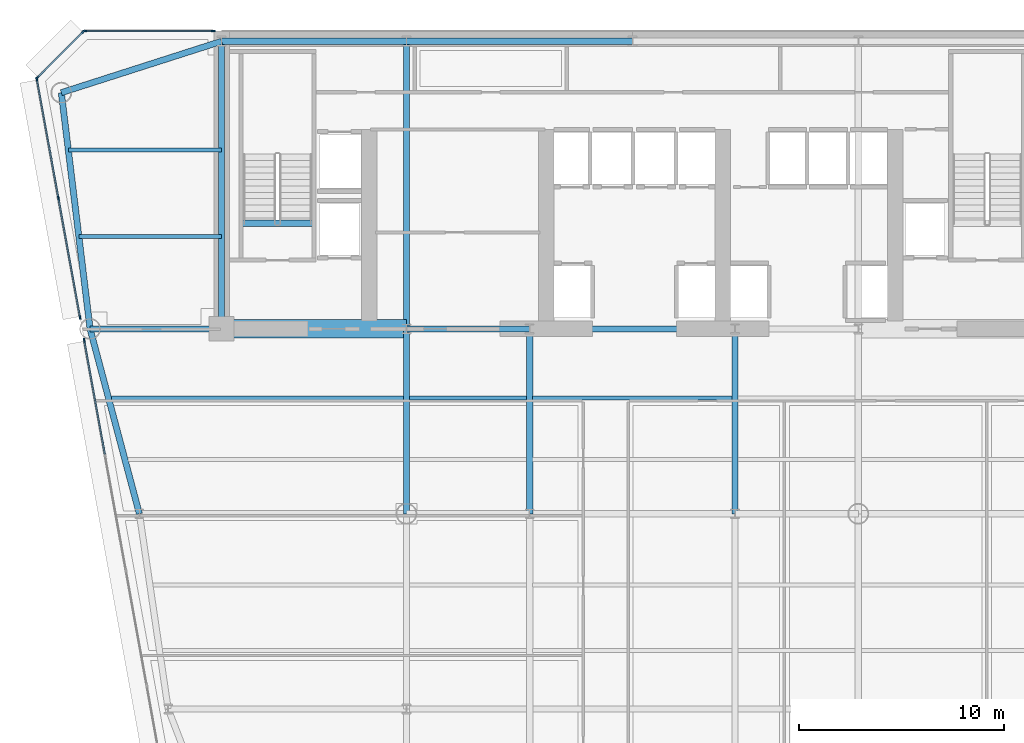
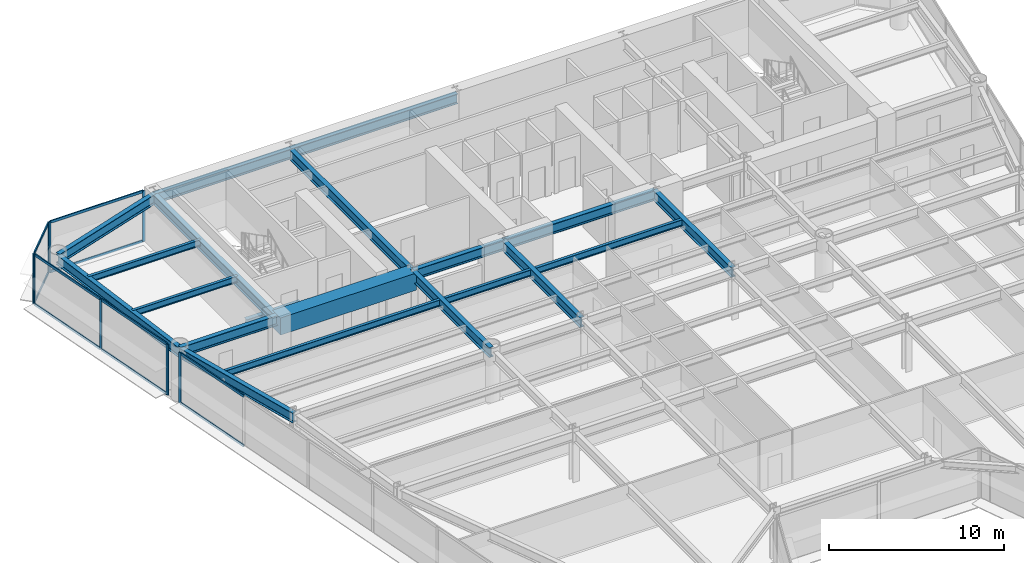
# One storey, part 5 of 14: 20 beams, 18 members, 4 elements without a shape of their own.
"""IFC4 building model written with IfcOpenShell, lengths in metres."""

from ifc_helpers import new_model, si_unit, direction, frame, origin, origin_2d, place, context, subcontext, project, spatial, rectangle, i_section, extrude, source, transform, mapped, material, layer, layer_set, material_profile, profile_set, type_object, element, aggregate, save


model = new_model("IFC4")

# Units and contexts
model_context = context("Model", 3, precision=1e-05, world=origin(), true_north=direction((0.0, 1.0)))
body_context = subcontext(model_context, "Body", "Model", "MODEL_VIEW")
ifc_project = project(units=[si_unit("LENGTHUNIT", "METRE"), si_unit("AREAUNIT", "SQUARE_METRE"), si_unit("VOLUMEUNIT", "CUBIC_METRE"), si_unit("PLANEANGLEUNIT", "RADIAN"), si_unit("MASSUNIT", "GRAM", prefix="KILO")], contexts=[model_context])

# Site, building, storey
site_placement = place(None, origin())
site = spatial("IfcSite", under=ifc_project, at=site_placement, CompositionType="ELEMENT")
building_placement = place(site_placement, origin())
building = spatial("IfcBuilding", under=site, at=building_placement, Name="Vaeldorn Concourse Tower", CompositionType="ELEMENT")
storey_placement = place(building_placement, frame((0.0, 0.0, 145.199951171875)))
storey = spatial("IfcBuildingStorey", under=building, at=storey_placement, Name="L37", CompositionType="ELEMENT", Elevation=145.199951171875)

# Beams
ifc_material_1 = material(Name="Concrete C60/75", Category="concrete")
ifc_material_profile_1 = material_profile(ifc_material_1, rectangle(XDim=0.89990234375, YDim=1.199951171875, at=origin_2d()), Name="RC 900x1200")
ifc_profile_set_1 = profile_set([ifc_material_profile_1], Name="Concrete C60/75")
beam_type_1 = type_object("IfcBeamType", Name="BM-CB-RC900", PredefinedType="BEAM", material=ifc_profile_set_1)
shared_shape_1 = source(origin(), body_context, "Body", "SweptSolid", [
    extrude(rectangle(XDim=0.89990234375, YDim=1.199951171875, at=origin_2d()), origin(), (0.0, 0.0, 1.0), 9.0),
])
beam_1_placement = place(storey_placement, frame((14.0, 36.5, 2.93994140625), z_axis=(1.0, 0.0, 0.0), x_axis=(0.0, 1.0, 0.0)))
element("IfcBeam", 1, at=beam_1_placement, inside=storey, type_object=beam_type_1, Name="Core Coupling Beam L37-1", PredefinedType="BEAM", context=body_context, shape_type="MappedRepresentation", body=[
    mapped(shared_shape_1, transform((0.0, 0.0, 0.0), scale=1.0)),
])
ifc_material_2 = material(Name="Steel S355", Category="steel")
ifc_material_profile_2 = material_profile(ifc_material_2, i_section(OverallWidth=0.300048828125, OverallDepth=0.340087890625, WebThickness=0.011962890625, FlangeThickness=0.021484375, FilletRadius=0.027099609375, at=origin_2d()), Name="HEB 340")
ifc_profile_set_2 = profile_set([ifc_material_profile_2], Name="Steel S355")
beam_type_2 = type_object("IfcBeamType", Name="BM-ST-TRIM", PredefinedType="BEAM", material=ifc_profile_set_2)
shared_shape_2 = source(origin(), body_context, "Body", "SweptSolid", [
    extrude(i_section(OverallWidth=0.300048828125, OverallDepth=0.340087890625, WebThickness=0.011962890625, FlangeThickness=0.021484375, FilletRadius=0.027099609375, at=origin_2d()), origin(), (0.0, 0.0, 1.0), 3.590087890625),
])
beam_2_placement = place(storey_placement, frame((14.929931640625, 41.639892578125, -0.389892578125), z_axis=(1.0, 0.0, 0.0), x_axis=(0.0, 1.0, 0.0)))
element("IfcBeam", 2, at=beam_2_placement, inside=storey, type_object=beam_type_2, Name="Stair Landing Trimmer Beam ST-1 L37", PredefinedType="BEAM", context=body_context, shape_type="MappedRepresentation", body=[
    mapped(shared_shape_2, transform((0.0, 0.0, 0.0), scale=1.0)),
])
ifc_material_profile_3 = material_profile(ifc_material_2, i_section(OverallWidth=0.300048828125, OverallDepth=0.699951171875, WebThickness=0.01708984375, FlangeThickness=0.031982421875, FilletRadius=0.027099609375, at=origin_2d()), Name="HEB 700")
ifc_profile_set_3 = profile_set([ifc_material_profile_3], Name="Steel S355")
beam_type_3 = type_object("IfcBeamType", Name="BM-PG-HEB700", PredefinedType="BEAM", material=ifc_profile_set_3)
shared_shape_3 = source(origin(), body_context, "Body", "SweptSolid", [
    extrude(i_section(OverallWidth=0.300048828125, OverallDepth=0.699951171875, WebThickness=0.01708984375, FlangeThickness=0.031982421875, FilletRadius=0.027099609375, at=origin_2d()), origin(), (0.0, 0.0, 1.0), 6.0),
])
beam_3_placement = place(storey_placement, frame((23.0, 36.5, 3.18994140625), z_axis=(1.0, 0.0, 0.0), x_axis=(0.0, 1.0, 0.0)))
element("IfcBeam", 3, at=beam_3_placement, inside=storey, type_object=beam_type_3, Name="Beam BM-L37-C-FC2-C-FC3", PredefinedType="BEAM", context=body_context, shape_type="MappedRepresentation", body=[
    mapped(shared_shape_3, transform((0.0, 0.0, 0.0), scale=1.0)),
])
shared_shape_4 = source(origin(), body_context, "Body", "SweptSolid", [
    extrude(i_section(OverallWidth=0.300048828125, OverallDepth=0.699951171875, WebThickness=0.01708984375, FlangeThickness=0.031982421875, FilletRadius=0.027099609375, at=origin_2d()), origin(), (0.0, 0.0, 1.0), 10.0),
])
beam_4_placement = place(storey_placement, frame((29.0, 36.5, 3.18994140625), z_axis=(1.0, 0.0, 0.0), x_axis=(0.0, 1.0, 0.0)))
element("IfcBeam", 4, at=beam_4_placement, inside=storey, type_object=beam_type_3, Name="Beam BM-L37-C-FC3-C-FC4", PredefinedType="BEAM", context=body_context, shape_type="MappedRepresentation", body=[
    mapped(shared_shape_4, transform((0.0, 0.0, 0.0), scale=1.0)),
])
shared_shape_5 = source(origin(), body_context, "Body", "SweptSolid", [
    extrude(i_section(OverallWidth=0.300048828125, OverallDepth=0.699951171875, WebThickness=0.01708984375, FlangeThickness=0.031982421875, FilletRadius=0.027099609375, at=origin_2d()), origin(), (0.0, 0.0, 1.0), 9.0),
])
for number, where, z_axis, x_axis, name in (
    (5, (14.0, 50.5, 3.18994140625), (1.0, 0.0, 0.0), (0.0, 1.0, 0.0), "Beam BM-L37-C-HC1-C-HC2"),
    (6, (23.0, 27.5, 3.18994140625), (0.0, 1.0, 0.0), (-1.0, 0.0, 0.0), "Beam BM-L37-C-TW1-C-FC2"),
    (7, (29.0, 27.5, 3.18994140625), (0.0, 1.0, 0.0), (-1.0, 0.0, 0.0), "Beam BM-L37-C-TW2-C-FC3"),
    (8, (39.0, 27.5, 3.18994140625), (0.0, 1.0, 0.0), (-1.0, 0.0, 0.0), "Beam BM-L37-C-TW3-C-FC4"),
):
    element("IfcBeam", number, at=place(storey_placement, frame(where, z_axis=z_axis, x_axis=x_axis)), inside=storey, type_object=beam_type_3, Name=name, PredefinedType="BEAM", context=body_context, shape_type="MappedRepresentation", body=[
        mapped(shared_shape_5, transform((0.0, 0.0, 0.0), scale=1.0)),
    ])
shared_shape_6 = source(origin(), body_context, "Body", "SweptSolid", [
    extrude(i_section(OverallWidth=0.300048828125, OverallDepth=0.699951171875, WebThickness=0.01708984375, FlangeThickness=0.031982421875, FilletRadius=0.027099609375, at=origin_2d()), origin(), (0.0, 0.0, 1.0), 11.0),
])
beam_5_placement = place(storey_placement, frame((23.0, 50.5, 3.18994140625), z_axis=(1.0, 0.0, 0.0), x_axis=(0.0, 1.0, 0.0)))
element("IfcBeam", 9, at=beam_5_placement, inside=storey, type_object=beam_type_3, Name="Beam BM-L37-C-HC2-C-HC3", PredefinedType="BEAM", context=body_context, shape_type="MappedRepresentation", body=[
    mapped(shared_shape_6, transform((0.0, 0.0, 0.0), scale=1.0)),
])
shared_shape_7 = source(origin(), body_context, "Body", "SweptSolid", [
    extrude(i_section(OverallWidth=0.300048828125, OverallDepth=0.699951171875, WebThickness=0.01708984375, FlangeThickness=0.031982421875, FilletRadius=0.027099609375, at=origin_2d()), origin(), (0.0, 0.0, 1.0), 14.0),
])
for number, where, z_axis, x_axis, name in (
    (10, (14.0, 36.5, 3.18994140625), (0.0, 1.0, 0.0), (-1.0, 0.0, 0.0), "Beam BM-L37-C-FC1-C-HC1"),
    (11, (23.0, 36.5, 3.18994140625), (0.0, 1.0, 0.0), (-1.0, 0.0, 0.0), "Beam BM-L37-C-FC2-C-HC2"),
):
    element("IfcBeam", number, at=place(storey_placement, frame(where, z_axis=z_axis, x_axis=x_axis)), inside=storey, type_object=beam_type_3, Name=name, PredefinedType="BEAM", context=body_context, shape_type="MappedRepresentation", body=[
        mapped(shared_shape_7, transform((0.0, 0.0, 0.0), scale=1.0)),
    ])
shared_shape_8 = source(origin(), body_context, "Body", "SweptSolid", [
    extrude(i_section(OverallWidth=0.300048828125, OverallDepth=0.699951171875, WebThickness=0.01708984375, FlangeThickness=0.031982421875, FilletRadius=0.027099609375, at=origin_2d()), origin(), (0.0, 0.0, 1.0), 8.19091796875),
])
beam_6_placement = place(storey_placement, frame((6.199951171875, 48.0, 3.18994140625), z_axis=(0.952282843383, 0.305216949396, 0.0), x_axis=(-0.305216949396, 0.952282843383, 0.0)))
element("IfcBeam", 12, at=beam_6_placement, inside=storey, type_object=beam_type_3, Name="Beam BM-L37-C-NW1-C-HC1", PredefinedType="BEAM", context=body_context, shape_type="MappedRepresentation", body=[
    mapped(shared_shape_8, transform((0.0, 0.0, 0.0), scale=1.0)),
])
shared_shape_9 = source(origin(), body_context, "Body", "SweptSolid", [
    extrude(i_section(OverallWidth=0.300048828125, OverallDepth=0.699951171875, WebThickness=0.01708984375, FlangeThickness=0.031982421875, FilletRadius=0.027099609375, at=origin_2d()), origin(), (0.0, 0.0, 1.0), 11.5849609375),
])
beam_7_placement = place(storey_placement, frame((6.199951171875, 48.0, 3.18994140625), z_axis=(0.120859382899, -0.992669637677, 0.0), x_axis=(0.992669637677, 0.120859382899, 0.0)))
element("IfcBeam", 13, at=beam_7_placement, inside=storey, type_object=beam_type_3, Name="Beam BM-L37-C-NW1-C-NW2", PredefinedType="BEAM", context=body_context, shape_type="MappedRepresentation", body=[
    mapped(shared_shape_9, transform((0.0, 0.0, 0.0), scale=1.0)),
])
shared_shape_10 = source(origin(), body_context, "Body", "SweptSolid", [
    extrude(i_section(OverallWidth=0.300048828125, OverallDepth=0.699951171875, WebThickness=0.01708984375, FlangeThickness=0.031982421875, FilletRadius=0.027099609375, at=origin_2d()), origin(), (0.0, 0.0, 1.0), 6.39990234375),
])
beam_8_placement = place(storey_placement, frame((7.60009765625, 36.5, 3.18994140625), z_axis=(1.0, 0.0, 0.0), x_axis=(0.0, 1.0, 0.0)))
element("IfcBeam", 14, at=beam_8_placement, inside=storey, type_object=beam_type_3, Name="Beam BM-L37-C-NW2-C-FC1", PredefinedType="BEAM", context=body_context, shape_type="MappedRepresentation", body=[
    mapped(shared_shape_10, transform((0.0, 0.0, 0.0), scale=1.0)),
])
shared_shape_11 = source(origin(), body_context, "Body", "SweptSolid", [
    extrude(i_section(OverallWidth=0.300048828125, OverallDepth=0.699951171875, WebThickness=0.01708984375, FlangeThickness=0.031982421875, FilletRadius=0.027099609375, at=origin_2d()), origin(), (0.0, 0.0, 1.0), 9.314453125),
])
beam_9_placement = place(storey_placement, frame((7.60009765625, 36.5, 3.18994140625), z_axis=(0.257652862255, -0.966237549763, 0.0), x_axis=(0.966237549763, 0.257652862255, 0.0)))
element("IfcBeam", 15, at=beam_9_placement, inside=storey, type_object=beam_type_3, Name="Beam BM-L37-C-NW2-C-FLW1", PredefinedType="BEAM", context=body_context, shape_type="MappedRepresentation", body=[
    mapped(shared_shape_11, transform((0.0, 0.0, 0.0), scale=1.0)),
])
ifc_material_profile_4 = material_profile(ifc_material_2, i_section(OverallWidth=0.18994140625, OverallDepth=0.449951171875, WebThickness=0.009521484375, FlangeThickness=0.0146484375, FilletRadius=0.02099609375, at=origin_2d()), Name="IPE 450")
ifc_profile_set_4 = profile_set([ifc_material_profile_4], Name="Steel S355")
beam_type_4 = type_object("IfcBeamType", Name="BM-JS-IPE450", PredefinedType="JOIST", material=ifc_profile_set_4)
shared_shape_12 = source(origin(), body_context, "Body", "SweptSolid", [
    extrude(i_section(OverallWidth=0.18994140625, OverallDepth=0.449951171875, WebThickness=0.009521484375, FlangeThickness=0.0146484375, FilletRadius=0.02099609375, at=origin_2d()), origin(), (0.0, 0.0, 1.0), 5.7001953125),
])
beam_10_placement = place(storey_placement, frame((23.14990234375, 33.139892578125, 3.31494140625), z_axis=(1.0, 0.0, 0.0), x_axis=(0.0, 1.0, 0.0)))
element("IfcBeam", 16, at=beam_10_placement, inside=storey, type_object=beam_type_4, Name="Beam JS-L37-W2-331", PredefinedType="JOIST", context=body_context, shape_type="MappedRepresentation", body=[
    mapped(shared_shape_12, transform((0.0, 0.0, 0.0), scale=1.0)),
])
shared_shape_13 = source(origin(), body_context, "Body", "SweptSolid", [
    extrude(i_section(OverallWidth=0.18994140625, OverallDepth=0.449951171875, WebThickness=0.009521484375, FlangeThickness=0.0146484375, FilletRadius=0.02099609375, at=origin_2d()), origin(), (0.0, 0.0, 1.0), 9.7001953125),
])
beam_11_placement = place(storey_placement, frame((29.14990234375, 33.139892578125, 3.31494140625), z_axis=(1.0, 0.0, 0.0), x_axis=(0.0, 1.0, 0.0)))
element("IfcBeam", 17, at=beam_11_placement, inside=storey, type_object=beam_type_4, Name="Beam JS-L37-C-331", PredefinedType="JOIST", context=body_context, shape_type="MappedRepresentation", body=[
    mapped(shared_shape_13, transform((0.0, 0.0, 0.0), scale=1.0)),
])
shared_shape_14 = source(origin(), body_context, "Body", "SweptSolid", [
    extrude(i_section(OverallWidth=0.18994140625, OverallDepth=0.449951171875, WebThickness=0.009521484375, FlangeThickness=0.0146484375, FilletRadius=0.02099609375, at=origin_2d()), origin(), (0.0, 0.0, 1.0), 14.2041015625),
])
beam_12_placement = place(storey_placement, frame((8.64599609375, 33.139892578125, 3.31494140625), z_axis=(1.0, 0.0, 0.0), x_axis=(0.0, 1.0, 0.0)))
element("IfcBeam", 18, at=beam_12_placement, inside=storey, type_object=beam_type_4, Name="Beam JS-L37-W1-331", PredefinedType="JOIST", context=body_context, shape_type="MappedRepresentation", body=[
    mapped(shared_shape_14, transform((0.0, 0.0, 0.0), scale=1.0)),
])
shared_shape_15 = source(origin(), body_context, "Body", "SweptSolid", [
    extrude(i_section(OverallWidth=0.18994140625, OverallDepth=0.449951171875, WebThickness=0.009521484375, FlangeThickness=0.0146484375, FilletRadius=0.02099609375, at=origin_2d()), origin(), (0.0, 0.0, 1.0), 6.94775390625),
])
beam_13_placement = place(storey_placement, frame((7.05224609375, 41.0, 3.31494140625), z_axis=(1.0, 0.0, 0.0), x_axis=(0.0, 1.0, 0.0)))
element("IfcBeam", 19, at=beam_13_placement, inside=storey, type_object=beam_type_4, Name="Beam JS-L37-NW-410", PredefinedType="JOIST", context=body_context, shape_type="MappedRepresentation", body=[
    mapped(shared_shape_15, transform((0.0, 0.0, 0.0), scale=1.0)),
])
shared_shape_16 = source(origin(), body_context, "Body", "SweptSolid", [
    extrude(i_section(OverallWidth=0.18994140625, OverallDepth=0.449951171875, WebThickness=0.009521484375, FlangeThickness=0.0146484375, FilletRadius=0.02099609375, at=origin_2d()), origin(), (0.0, 0.0, 1.0), 7.458984375),
])
beam_14_placement = place(storey_placement, frame((6.541015625, 45.199951171875, 3.31494140625), z_axis=(1.0, 0.0, 0.0), x_axis=(0.0, 1.0, 0.0)))
element("IfcBeam", 20, at=beam_14_placement, inside=storey, type_object=beam_type_4, Name="Beam JS-L37-NW-452", PredefinedType="JOIST", context=body_context, shape_type="MappedRepresentation", body=[
    mapped(shared_shape_16, transform((0.0, 0.0, 0.0), scale=1.0)),
])

# Curtain wall, members
ifc_material_3 = material(Name="Anodised Bronze Aluminium", Category="aluminium")
ifc_layer = layer(ifc_material_3, 0.199951171875)
ifc_layer_set = layer_set([ifc_layer], Name="Anodised Bronze Aluminium")
curtain_wall_type = type_object("IfcCurtainWallType", Name="CW-SYS-02", PredefinedType="NOTDEFINED", material=ifc_layer_set)
curtain_wall_1_placement = place(storey_placement, origin())
curtain_wall_1 = element("IfcCurtainWall", 21, at=curtain_wall_1_placement, inside=storey, type_object=curtain_wall_type, Name="Unitised Curtain Wall CW-L37-E10-1", PredefinedType="NOTDEFINED")
ifc_material_profile_5 = material_profile(ifc_material_3, rectangle(XDim=0.074951171875, YDim=0.179931640625, at=origin_2d()), Name="CWT 75x180")
ifc_profile_set_5 = profile_set([ifc_material_profile_5], Name="Anodised Bronze Aluminium")
member_type_1 = type_object("IfcMemberType", Name="CWT-BRONZE-180", PredefinedType="USERDEFINED", material=ifc_profile_set_5)
shared_shape_17 = source(origin(), body_context, "Body", "SweptSolid", [
    extrude(rectangle(XDim=0.074951171875, YDim=0.179931640625, at=origin_2d()), origin(), (0.0, 0.0, 1.0), 3.10302734375),
])
member_1_placement = place(storey_placement, frame((7.2470703125, 50.947021484375, 0.03759765625), z_axis=(-0.707106781187, -0.707106781187, 0.0), x_axis=(0.707106781187, -0.707106781187, 0.0)))
member_1 = element("IfcMember", 22, at=member_1_placement, type_object=member_type_1, Name="CW-02 transom 1.1", ObjectType="TRANSOM", PredefinedType="USERDEFINED", context=body_context, shape_type="MappedRepresentation", body=[
    mapped(shared_shape_17, transform((0.0, 0.0, 0.0), scale=1.0)),
])
member_2_placement = place(storey_placement, frame((7.2470703125, 50.947021484375, 3.50244140625), z_axis=(-0.707106781187, -0.707106781187, 0.0), x_axis=(0.707106781187, -0.707106781187, 0.0)))
member_2 = element("IfcMember", 23, at=member_2_placement, type_object=member_type_1, Name="CW-02 transom 1.2", ObjectType="TRANSOM", PredefinedType="USERDEFINED", context=body_context, shape_type="MappedRepresentation", body=[
    mapped(shared_shape_17, transform((0.0, 0.0, 0.0), scale=1.0)),
])

curtain_wall_2_placement = place(storey_placement, origin())
curtain_wall_2 = element("IfcCurtainWall", 24, at=curtain_wall_2_placement, inside=storey, type_object=curtain_wall_type, Name="Unitised Curtain Wall CW-L37-E09-2", PredefinedType="NOTDEFINED")
shared_shape_18 = source(origin(), body_context, "Body", "SweptSolid", [
    extrude(rectangle(XDim=0.074951171875, YDim=0.179931640625, at=origin_2d()), origin(), (0.0, 0.0, 1.0), 6.179931640625),
])
member_3_placement = place(storey_placement, frame((13.554931640625, 51.0, 0.03759765625), z_axis=(-1.0, 0.0, 0.0), x_axis=(0.0, -1.0, 0.0)))
member_3 = element("IfcMember", 25, at=member_3_placement, type_object=member_type_1, Name="CW-02 transom 1.1", ObjectType="TRANSOM", PredefinedType="USERDEFINED", context=body_context, shape_type="MappedRepresentation", body=[
    mapped(shared_shape_18, transform((0.0, 0.0, 0.0), scale=1.0)),
])
member_4_placement = place(storey_placement, frame((13.554931640625, 51.0, 3.50244140625), z_axis=(-1.0, 0.0, 0.0), x_axis=(0.0, -1.0, 0.0)))
member_4 = element("IfcMember", 26, at=member_4_placement, type_object=member_type_1, Name="CW-02 transom 1.2", ObjectType="TRANSOM", PredefinedType="USERDEFINED", context=body_context, shape_type="MappedRepresentation", body=[
    mapped(shared_shape_18, transform((0.0, 0.0, 0.0), scale=1.0)),
])

curtain_wall_3_placement = place(storey_placement, origin())
curtain_wall_3 = element("IfcCurtainWall", 27, at=curtain_wall_3_placement, inside=storey, type_object=curtain_wall_type, Name="Unitised Curtain Wall CW-L37-E11-1", PredefinedType="NOTDEFINED")
shared_shape_19 = source(origin(), body_context, "Body", "SweptSolid", [
    extrude(rectangle(XDim=0.074951171875, YDim=0.179931640625, at=origin_2d()), origin(), (0.0, 0.0, 1.0), 5.82373046875),
])
member_5_placement = place(storey_placement, frame((5.013427734375, 48.626220703125, 0.03759765625), z_axis=(0.178420585657, -0.983954315308, 0.0), x_axis=(0.983954315308, 0.178420585657, 0.0)))
member_5 = element("IfcMember", 28, at=member_5_placement, type_object=member_type_1, Name="CW-02 transom 1.1", ObjectType="TRANSOM", PredefinedType="USERDEFINED", context=body_context, shape_type="MappedRepresentation", body=[
    mapped(shared_shape_19, transform((0.0, 0.0, 0.0), scale=1.0)),
])
member_6_placement = place(storey_placement, frame((5.013427734375, 48.626220703125, 3.50244140625), z_axis=(0.178420585657, -0.983954315308, 0.0), x_axis=(0.983954315308, 0.178420585657, 0.0)))
member_6 = element("IfcMember", 29, at=member_6_placement, type_object=member_type_1, Name="CW-02 transom 1.2", ObjectType="TRANSOM", PredefinedType="USERDEFINED", context=body_context, shape_type="MappedRepresentation", body=[
    mapped(shared_shape_19, transform((0.0, 0.0, 0.0), scale=1.0)),
])
member_7_placement = place(storey_placement, frame((6.06591796875, 42.822021484375, 0.03759765625), z_axis=(0.178461172786, -0.983946954773, 0.0), x_axis=(0.983946954773, 0.178461172786, 0.0)))
member_7 = element("IfcMember", 30, at=member_7_placement, type_object=member_type_1, Name="CW-02 transom 2.1", ObjectType="TRANSOM", PredefinedType="USERDEFINED", context=body_context, shape_type="MappedRepresentation", body=[
    mapped(shared_shape_19, transform((0.0, 0.0, 0.0), scale=1.0)),
])
member_8_placement = place(storey_placement, frame((6.06591796875, 42.822021484375, 3.50244140625), z_axis=(0.178461172786, -0.983946954773, 0.0), x_axis=(0.983946954773, 0.178461172786, 0.0)))
member_8 = element("IfcMember", 31, at=member_8_placement, type_object=member_type_1, Name="CW-02 transom 2.2", ObjectType="TRANSOM", PredefinedType="USERDEFINED", context=body_context, shape_type="MappedRepresentation", body=[
    mapped(shared_shape_19, transform((0.0, 0.0, 0.0), scale=1.0)),
])

# Member
ifc_material_profile_6 = material_profile(ifc_material_3, rectangle(XDim=0.074951171875, YDim=0.18994140625, at=origin_2d()), Name="CWM 75x190")
ifc_profile_set_6 = profile_set([ifc_material_profile_6], Name="Anodised Bronze Aluminium")
member_type_2 = type_object("IfcMemberType", Name="CWM-BRONZE-190", PredefinedType="MULLION", material=ifc_profile_set_6)
shared_shape_20 = source(origin(), body_context, "Body", "SweptSolid", [
    extrude(rectangle(XDim=0.074951171875, YDim=0.18994140625, at=origin_2d()), origin(), (0.0, 0.0, 1.0), 3.5400390625),
])
member_9_placement = place(storey_placement, frame((13.592529296875, 51.0, 0.0), z_axis=(0.0, 0.0, 1.0), x_axis=(0.0, -1.0, 0.0)))
member_9 = element("IfcMember", 32, at=member_9_placement, type_object=member_type_2, Name="CW-02 mullion 1", PredefinedType="MULLION", context=body_context, shape_type="MappedRepresentation", body=[
    mapped(shared_shape_20, transform((0.0, 0.0, 0.0), scale=1.0)),
])

member_10_placement = place(storey_placement, frame((7.33740234375, 51.0, 0.0), z_axis=(0.0, 0.0, 1.0), x_axis=(0.0, -1.0, 0.0)))
member_10 = element("IfcMember", 33, at=member_10_placement, type_object=member_type_2, Name="CW-02 mullion 2", PredefinedType="MULLION", context=body_context, shape_type="MappedRepresentation", body=[
    mapped(shared_shape_20, transform((0.0, 0.0, 0.0), scale=1.0)),
])

aggregate(curtain_wall_2, [member_9, member_10, member_3, member_4])

member_11_placement = place(storey_placement, frame((7.2734375, 50.973388671875, 0.0), z_axis=(0.0, 0.0, 1.0), x_axis=(0.707106781187, -0.707106781187, 0.0)))
member_11 = element("IfcMember", 34, at=member_11_placement, type_object=member_type_2, Name="CW-02 mullion 1", PredefinedType="MULLION", context=body_context, shape_type="MappedRepresentation", body=[
    mapped(shared_shape_20, transform((0.0, 0.0, 0.0), scale=1.0)),
])

member_12_placement = place(storey_placement, frame((5.026611328125, 48.7265625, 0.0), z_axis=(0.0, 0.0, 1.0), x_axis=(0.707106781187, -0.707106781187, 0.0)))
member_12 = element("IfcMember", 35, at=member_12_placement, type_object=member_type_2, Name="CW-02 mullion 2", PredefinedType="MULLION", context=body_context, shape_type="MappedRepresentation", body=[
    mapped(shared_shape_20, transform((0.0, 0.0, 0.0), scale=1.0)),
])

aggregate(curtain_wall_1, [member_11, member_12, member_1, member_2])

member_13_placement = place(storey_placement, frame((5.006591796875, 48.6630859375, 0.0), z_axis=(0.0, 0.0, 1.0), x_axis=(0.983949861748, 0.178445144419, 0.0)))
member_13 = element("IfcMember", 36, at=member_13_placement, type_object=member_type_2, Name="CW-02 mullion 1", PredefinedType="MULLION", context=body_context, shape_type="MappedRepresentation", body=[
    mapped(shared_shape_20, transform((0.0, 0.0, 0.0), scale=1.0)),
])

member_14_placement = place(storey_placement, frame((6.059326171875, 42.85888671875, 0.0), z_axis=(0.0, 0.0, 1.0), x_axis=(0.983949861748, 0.178445144419, 0.0)))
member_14 = element("IfcMember", 37, at=member_14_placement, type_object=member_type_2, Name="CW-02 mullion 2", PredefinedType="MULLION", context=body_context, shape_type="MappedRepresentation", body=[
    mapped(shared_shape_20, transform((0.0, 0.0, 0.0), scale=1.0)),
])

member_15_placement = place(storey_placement, frame((7.11181640625, 37.054931640625, 0.0), z_axis=(0.0, 0.0, 1.0), x_axis=(0.983949861748, 0.178445144419, 0.0)))
member_15 = element("IfcMember", 38, at=member_15_placement, type_object=member_type_2, Name="CW-02 mullion 3", PredefinedType="MULLION", context=body_context, shape_type="MappedRepresentation", body=[
    mapped(shared_shape_20, transform((0.0, 0.0, 0.0), scale=1.0)),
])

aggregate(curtain_wall_3, [member_13, member_14, member_15, member_5, member_6, member_7, member_8])

# Curtain wall, members
curtain_wall_4_placement = place(storey_placement, origin())
curtain_wall_4 = element("IfcCurtainWall", 39, at=curtain_wall_4_placement, inside=storey, type_object=curtain_wall_type, Name="Unitised Curtain Wall CW-L37-E11-2", PredefinedType="NOTDEFINED")
member_16_placement = place(storey_placement, frame((7.313232421875, 35.945068359375, 0.0), z_axis=(0.0, 0.0, 1.0), x_axis=(0.983949505309, 0.178447109818, 0.0)))
member_16 = element("IfcMember", 40, at=member_16_placement, type_object=member_type_2, Name="CW-02 mullion 1", PredefinedType="MULLION", context=body_context, shape_type="MappedRepresentation", body=[
    mapped(shared_shape_20, transform((0.0, 0.0, 0.0), scale=1.0)),
])
shared_shape_21 = source(origin(), body_context, "Body", "SweptSolid", [
    extrude(rectangle(XDim=0.074951171875, YDim=0.179931640625, at=origin_2d()), origin(), (0.0, 0.0, 1.0), 5.5927734375),
])
member_17_placement = place(storey_placement, frame((7.31982421875, 35.908203125, 0.03759765625), z_axis=(0.178455173007, -0.983948042951, 0.0), x_axis=(0.983948042951, 0.178455173007, 0.0)))
member_17 = element("IfcMember", 41, at=member_17_placement, type_object=member_type_1, Name="CW-02 transom 1.1", ObjectType="TRANSOM", PredefinedType="USERDEFINED", context=body_context, shape_type="MappedRepresentation", body=[
    mapped(shared_shape_21, transform((0.0, 0.0, 0.0), scale=1.0)),
])
member_18_placement = place(storey_placement, frame((7.31982421875, 35.908203125, 3.50244140625), z_axis=(0.178455173007, -0.983948042951, 0.0), x_axis=(0.983948042951, 0.178455173007, 0.0)))
member_18 = element("IfcMember", 42, at=member_18_placement, type_object=member_type_1, Name="CW-02 transom 1.2", ObjectType="TRANSOM", PredefinedType="USERDEFINED", context=body_context, shape_type="MappedRepresentation", body=[
    mapped(shared_shape_21, transform((0.0, 0.0, 0.0), scale=1.0)),
])
aggregate(curtain_wall_4, [member_16, member_17, member_18])

save(model, "model.ifc")
